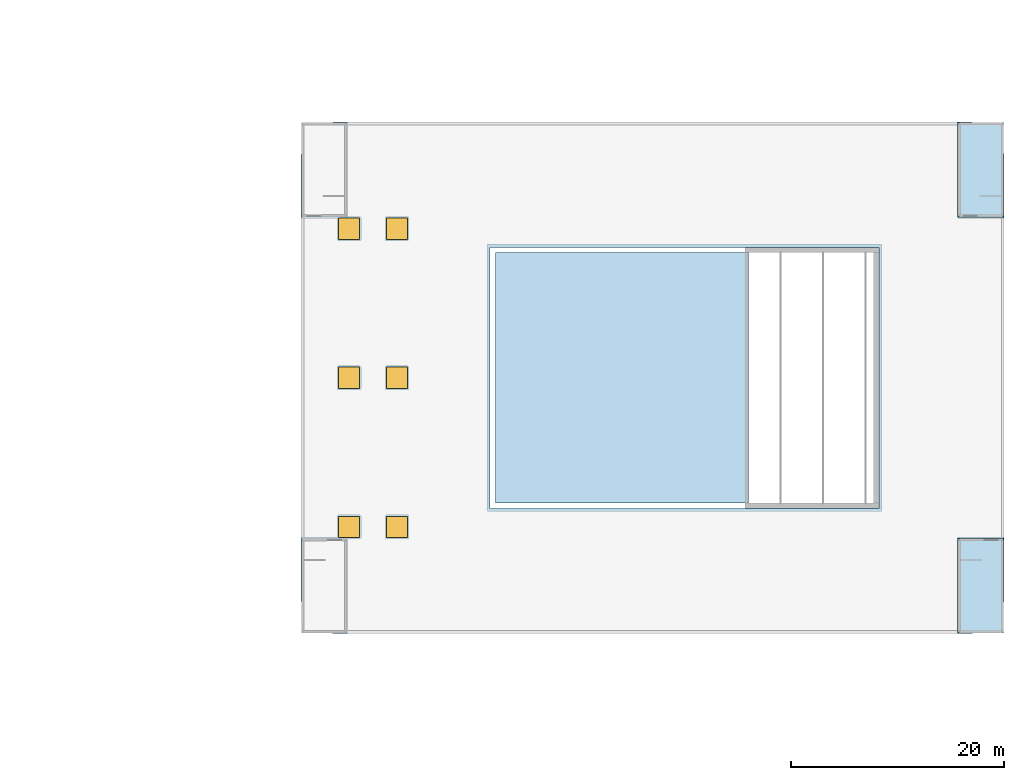
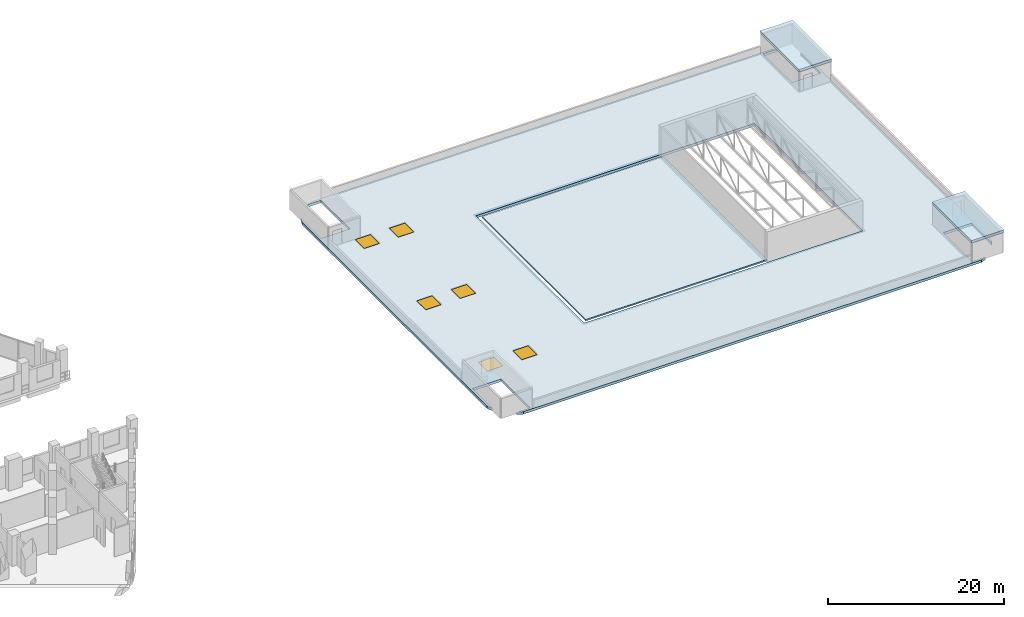
# One storey, part 15 of 33: 6 windows, 4 slabs, 6 openings.
"""IFC4 building model written with IfcOpenShell, lengths in metres."""

from ifc_helpers import new_model, si_unit, direction, frame, origin, origin_2d, place, context, subcontext, project, spatial, polyline, rectangle, outline, extrude, material, layer, layer_set, type_object, element, fill, save


model = new_model("IFC4")

# Units and contexts
model_context = context("Model", 3, precision=1e-05, world=origin(), true_north=direction((0.0, 1.0)))
body_context = subcontext(model_context, "Body", "Model", "MODEL_VIEW")
ifc_project = project(units=[si_unit("LENGTHUNIT", "METRE"), si_unit("AREAUNIT", "SQUARE_METRE"), si_unit("VOLUMEUNIT", "CUBIC_METRE"), si_unit("PLANEANGLEUNIT", "RADIAN"), si_unit("MASSUNIT", "GRAM", prefix="KILO")], contexts=[model_context])

# Site, building, storey
site_placement = place(None, origin())
site = spatial("IfcSite", under=ifc_project, at=site_placement, CompositionType="ELEMENT")
building_placement = place(site_placement, origin())
building = spatial("IfcBuilding", under=site, at=building_placement, Name="Nakaniwa Court", CompositionType="ELEMENT")
storey_placement = place(building_placement, frame((0.0, 0.0, 19.800048828125)))
storey = spatial("IfcBuildingStorey", under=building, at=storey_placement, Name="L04", CompositionType="ELEMENT", Elevation=19.800048828125)

# Slab
ifc_material_1 = material(Name="Concrete C40/50", Category="concrete")
ifc_layer_1 = layer(ifc_material_1, 0.199951171875)
ifc_layer_set_1 = layer_set([ifc_layer_1], Name="Concrete C40/50")
slab_type_1 = type_object("IfcSlabType", Name="Hall roof deck slab 200", PredefinedType="ROOF", material=ifc_layer_set_1)
slab_1_placement = place(storey_placement, frame((0.0, 0.0, -0.199951171875)))
element("IfcSlab", 1, at=slab_1_placement, inside=storey, type_object=slab_type_1, Name="Auditorium roof deck", PredefinedType="ROOF", context=body_context, shape_type="SweptSolid", body=[
    extrude(outline(polyline([(194.0, 68.25), (194.0, 91.75), (170.25, 91.75), (170.25, 68.25), (194.0, 68.25)])), origin(), (0.0, 0.0, 1.0), 0.199951171875),
])

# Slab, openings, windows
ifc_layer_2 = layer(ifc_material_1, 0.35009765625)
ifc_layer_set_2 = layer_set([ifc_layer_2], Name="Concrete C40/50")
slab_type_2 = type_object("IfcSlabType", Name="Hall roof slab 350", PredefinedType="ROOF", material=ifc_layer_set_2)
slab_2_placement = place(storey_placement, frame((0.0, 0.0, -0.35009765625)))
slab_2 = element("IfcSlab", 2, at=slab_2_placement, inside=storey, type_object=slab_type_2, Name="Hall roof slab L04", PredefinedType="ROOF", context=body_context, shape_type="SweptSolid", body=[
    extrude(outline(polyline([(154.27587890625, 56.300048828125), (155.0, 56.0), (215.0, 56.0), (215.72412109375, 56.300048828125), (213.949951171875, 56.300048828125), (213.949951171875, 62.844970703125), (217.699951171875, 62.844970703125), (217.699951171875, 58.27587890625), (218.0, 59.0), (218.0, 101.0), (217.699951171875, 101.72412109375), (217.699951171875, 97.155029296875), (213.949951171875, 97.155029296875), (213.949951171875, 103.699951171875), (215.72412109375, 103.699951171875), (215.0, 104.0), (155.0, 104.0), (154.27587890625, 103.699951171875), (156.050048828125, 103.699951171875), (156.050048828125, 97.155029296875), (152.300048828125, 97.155029296875), (152.300048828125, 101.72412109375), (152.0, 101.0), (152.0, 59.0), (152.300048828125, 58.27587890625), (152.300048828125, 62.844970703125), (156.050048828125, 62.844970703125), (156.050048828125, 56.300048828125), (154.27587890625, 56.300048828125)]), holes=[polyline([(206.25, 67.75), (169.75, 67.75), (169.75, 92.25), (206.25, 92.25), (206.25, 67.75)])]), origin(), (0.0, 0.0, 1.0), 0.35009765625),
])
opening_1_placement = place(slab_2_placement, frame((156.5, 66.0, 0.0)))
opening_1 = element("IfcOpeningElement", 3, at=opening_1_placement, cuts=slab_2, Name="Opening HWN-01", PredefinedType="OPENING", context=body_context, shape_type="SweptSolid", body=[
    extrude(rectangle(XDim=2.0, YDim=2.0, at=origin_2d()), frame((0.0, 0.0, -0.010009765625)), (0.0, 0.0, 1.0), 0.3701171875),
])
opening_2_placement = place(slab_2_placement, frame((156.5, 80.0, 0.0)))
opening_2 = element("IfcOpeningElement", 4, at=opening_2_placement, cuts=slab_2, Name="Opening HWN-02", PredefinedType="OPENING", context=body_context, shape_type="SweptSolid", body=[
    extrude(rectangle(XDim=2.0, YDim=2.0, at=origin_2d()), frame((0.0, 0.0, -0.010009765625)), (0.0, 0.0, 1.0), 0.3701171875),
])
opening_3_placement = place(slab_2_placement, frame((156.5, 94.0, 0.0)))
opening_3 = element("IfcOpeningElement", 5, at=opening_3_placement, cuts=slab_2, Name="Opening HWN-03", PredefinedType="OPENING", context=body_context, shape_type="SweptSolid", body=[
    extrude(rectangle(XDim=2.0, YDim=2.0, at=origin_2d()), frame((0.0, 0.0, -0.010009765625)), (0.0, 0.0, 1.0), 0.3701171875),
])
opening_4_placement = place(slab_2_placement, frame((161.0, 66.0, 0.0)))
opening_4 = element("IfcOpeningElement", 6, at=opening_4_placement, cuts=slab_2, Name="Opening HWN-04", PredefinedType="OPENING", context=body_context, shape_type="SweptSolid", body=[
    extrude(rectangle(XDim=2.0, YDim=2.0, at=origin_2d()), frame((0.0, 0.0, -0.010009765625)), (0.0, 0.0, 1.0), 0.3701171875),
])
opening_5_placement = place(slab_2_placement, frame((161.0, 80.0, 0.0)))
opening_5 = element("IfcOpeningElement", 7, at=opening_5_placement, cuts=slab_2, Name="Opening HWN-05", PredefinedType="OPENING", context=body_context, shape_type="SweptSolid", body=[
    extrude(rectangle(XDim=2.0, YDim=2.0, at=origin_2d()), frame((0.0, 0.0, -0.010009765625)), (0.0, 0.0, 1.0), 0.3701171875),
])
opening_6_placement = place(slab_2_placement, frame((161.0, 94.0, 0.0)))
opening_6 = element("IfcOpeningElement", 8, at=opening_6_placement, cuts=slab_2, Name="Opening HWN-06", PredefinedType="OPENING", context=body_context, shape_type="SweptSolid", body=[
    extrude(rectangle(XDim=2.0, YDim=2.0, at=origin_2d()), frame((0.0, 0.0, -0.010009765625)), (0.0, 0.0, 1.0), 0.3701171875),
])
ifc_material_2 = material(Name="Black powder-coated aluminium frame with dark glass", Category="aluminium")
window_type = type_object("IfcWindowType", Name="Hall rooflight 2000x2000", PartitioningType="SINGLE_PANEL", PredefinedType="SKYLIGHT", material=ifc_material_2)
window_1_placement = place(opening_1_placement, frame((0.0, 0.0, 0.300048828125)))
window_1 = element("IfcWindow", 9, at=window_1_placement, inside=storey, type_object=window_type, Name="Rooflight 1", OverallHeight=2.0, OverallWidth=2.0, PartitioningType="SINGLE_PANEL", PredefinedType="SKYLIGHT", context=body_context, shape_type="SweptSolid", body=[
    extrude(rectangle(XDim=2.0, YDim=2.0, at=origin_2d()), origin(), (0.0, 0.0, 1.0), 0.050048828125),
])
fill(opening_1, window_1)
window_2_placement = place(opening_2_placement, frame((0.0, 0.0, 0.300048828125)))
window_2 = element("IfcWindow", 10, at=window_2_placement, inside=storey, type_object=window_type, Name="Rooflight 2", OverallHeight=2.0, OverallWidth=2.0, PartitioningType="SINGLE_PANEL", PredefinedType="SKYLIGHT", context=body_context, shape_type="SweptSolid", body=[
    extrude(rectangle(XDim=2.0, YDim=2.0, at=origin_2d()), origin(), (0.0, 0.0, 1.0), 0.050048828125),
])
fill(opening_2, window_2)
window_3_placement = place(opening_3_placement, frame((0.0, 0.0, 0.300048828125)))
window_3 = element("IfcWindow", 11, at=window_3_placement, inside=storey, type_object=window_type, Name="Rooflight 3", OverallHeight=2.0, OverallWidth=2.0, PartitioningType="SINGLE_PANEL", PredefinedType="SKYLIGHT", context=body_context, shape_type="SweptSolid", body=[
    extrude(rectangle(XDim=2.0, YDim=2.0, at=origin_2d()), origin(), (0.0, 0.0, 1.0), 0.050048828125),
])
fill(opening_3, window_3)
window_4_placement = place(opening_4_placement, frame((0.0, 0.0, 0.300048828125)))
window_4 = element("IfcWindow", 12, at=window_4_placement, inside=storey, type_object=window_type, Name="Rooflight 4", OverallHeight=2.0, OverallWidth=2.0, PartitioningType="SINGLE_PANEL", PredefinedType="SKYLIGHT", context=body_context, shape_type="SweptSolid", body=[
    extrude(rectangle(XDim=2.0, YDim=2.0, at=origin_2d()), origin(), (0.0, 0.0, 1.0), 0.050048828125),
])
fill(opening_4, window_4)
window_5_placement = place(opening_5_placement, frame((0.0, 0.0, 0.300048828125)))
window_5 = element("IfcWindow", 13, at=window_5_placement, inside=storey, type_object=window_type, Name="Rooflight 5", OverallHeight=2.0, OverallWidth=2.0, PartitioningType="SINGLE_PANEL", PredefinedType="SKYLIGHT", context=body_context, shape_type="SweptSolid", body=[
    extrude(rectangle(XDim=2.0, YDim=2.0, at=origin_2d()), origin(), (0.0, 0.0, 1.0), 0.050048828125),
])
fill(opening_5, window_5)
window_6_placement = place(opening_6_placement, frame((0.0, 0.0, 0.300048828125)))
window_6 = element("IfcWindow", 14, at=window_6_placement, inside=storey, type_object=window_type, Name="Rooflight 6", OverallHeight=2.0, OverallWidth=2.0, PartitioningType="SINGLE_PANEL", PredefinedType="SKYLIGHT", context=body_context, shape_type="SweptSolid", body=[
    extrude(rectangle(XDim=2.0, YDim=2.0, at=origin_2d()), origin(), (0.0, 0.0, 1.0), 0.050048828125),
])
fill(opening_6, window_6)

# Slabs
slab_3_placement = place(storey_placement, frame((0.0, 0.0, 2.75)))
element("IfcSlab", 15, at=slab_3_placement, inside=storey, type_object=slab_type_2, Name="Stair 3 head house roof", PredefinedType="ROOF", context=body_context, shape_type="SweptSolid", body=[
    extrude(outline(polyline([(217.97509765625, 56.02490234375), (217.97509765625, 64.909912109375), (213.699951171875, 64.909912109375), (213.699951171875, 56.02490234375), (217.97509765625, 56.02490234375)])), origin(), (0.0, 0.0, 1.0), 0.349853515625),
])
slab_4_placement = place(storey_placement, frame((0.0, 0.0, 2.75)))
element("IfcSlab", 16, at=slab_4_placement, inside=storey, type_object=slab_type_2, Name="Stair 4 head house roof", PredefinedType="ROOF", context=body_context, shape_type="SweptSolid", body=[
    extrude(outline(polyline([(217.97509765625, 95.090087890625), (217.97509765625, 103.97509765625), (213.699951171875, 103.97509765625), (213.699951171875, 95.090087890625), (217.97509765625, 95.090087890625)])), origin(), (0.0, 0.0, 1.0), 0.349853515625),
])

save(model, "model.ifc")
